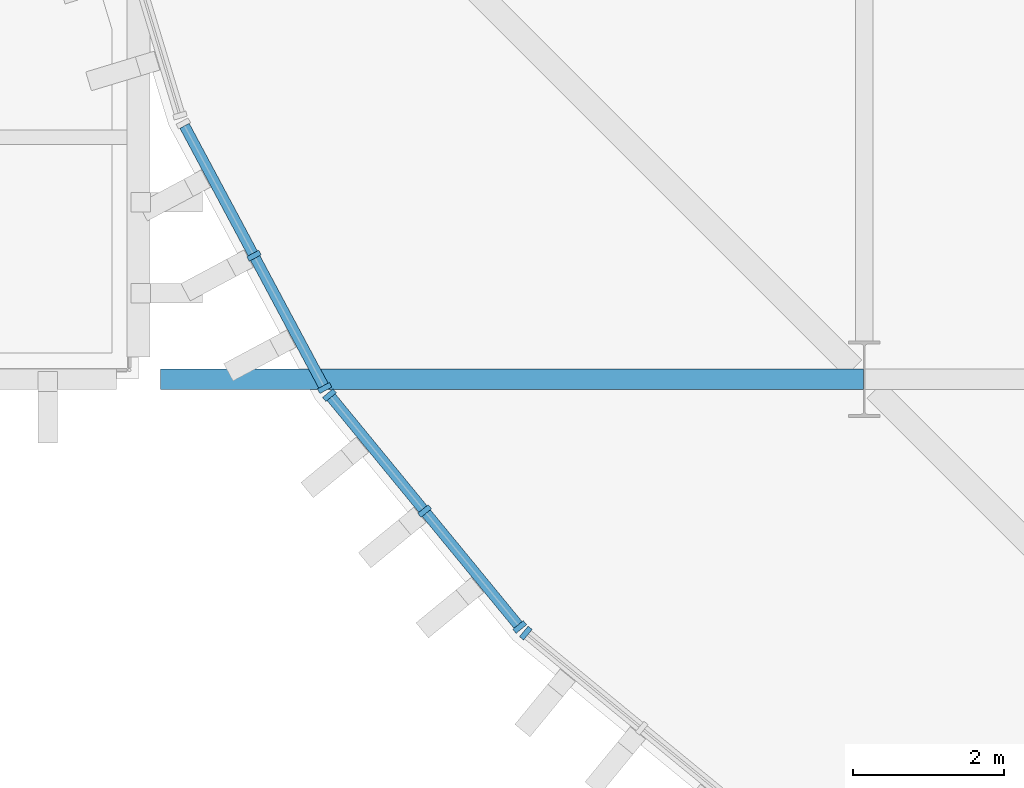
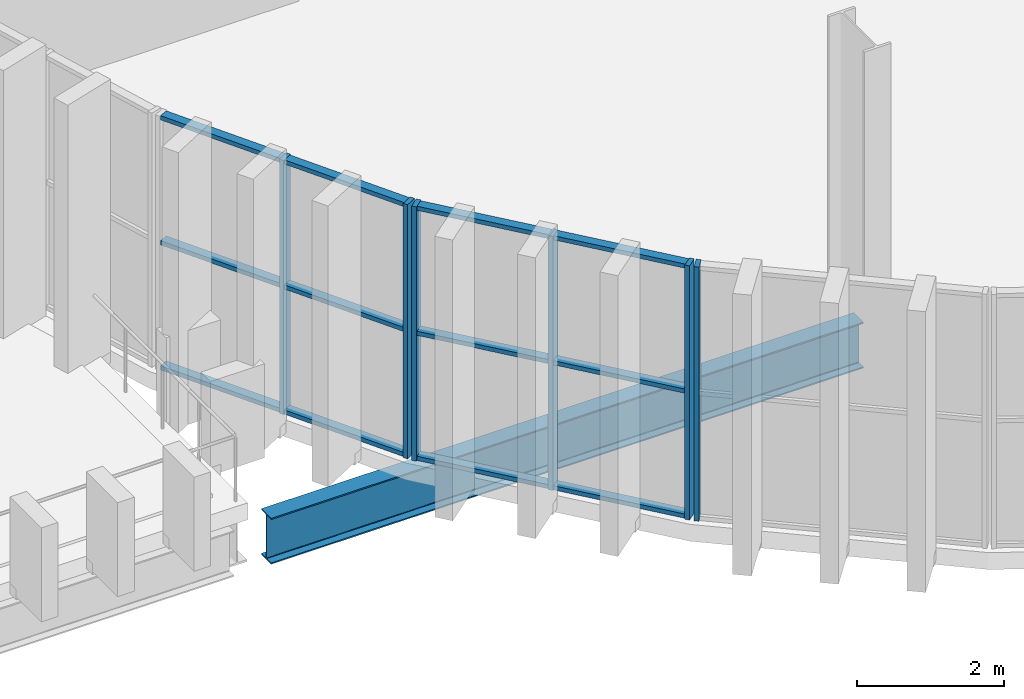
# One storey, part 7 of 92: 18 members, 1 beam, 3 elements without a shape of their own.
"""IFC4 building model written with IfcOpenShell, lengths in metres."""

from ifc_helpers import new_model, si_unit, direction, frame, origin, origin_2d, place, context, subcontext, project, spatial, rectangle, i_section, extrude, material, layer, layer_set, material_profile, profile_set, type_object, element, aggregate, save


model = new_model("IFC4")

# Units and contexts
model_context = context("Model", 3, precision=1e-05, world=origin(), true_north=direction((0.0, 1.0)))
body_context = subcontext(model_context, "Body", "Model", "MODEL_VIEW")
ifc_project = project(units=[si_unit("LENGTHUNIT", "METRE"), si_unit("AREAUNIT", "SQUARE_METRE"), si_unit("VOLUMEUNIT", "CUBIC_METRE"), si_unit("PLANEANGLEUNIT", "RADIAN"), si_unit("MASSUNIT", "GRAM", prefix="KILO")], contexts=[model_context])

# Site, building, storey
site_placement = place(None, origin())
site = spatial("IfcSite", under=ifc_project, at=site_placement, CompositionType="ELEMENT")
building_placement = place(site_placement, origin())
building = spatial("IfcBuilding", under=site, at=building_placement, Name="Caelomonte Colonnade Arena", CompositionType="ELEMENT")
storey_placement = place(building_placement, frame((0.0, 0.0, 9.60009765625)))
storey = spatial("IfcBuildingStorey", under=building, at=storey_placement, Name="L02", CompositionType="ELEMENT", Elevation=9.60009765625)

# Curtain wall, members
ifc_material_1 = material(Name="Bronze anodised aluminium and low-E glazing", Category="aluminium")
ifc_layer = layer(ifc_material_1, 0.179931640625)
ifc_layer_set = layer_set([ifc_layer], Name="Bronze anodised aluminium and low-E glazing")
curtain_wall_type = type_object("IfcCurtainWallType", Name="ENV-CW-CW-L02-44-42", PredefinedType="USERDEFINED", material=ifc_layer_set)
curtain_wall_1_placement = place(storey_placement, origin())
curtain_wall_1 = element("IfcCurtainWall", 1, at=curtain_wall_1_placement, inside=storey, type_object=curtain_wall_type, Name="L02 unitized curtain wall CW-L02-0591-0304", ObjectType="UNITIZED CURTAIN WALL", PredefinedType="USERDEFINED")
ifc_material_2 = material(Name="Bronze anodised aluminium AA6063-T6", Category="aluminium")
ifc_material_profile_1 = material_profile(ifc_material_2, rectangle(XDim=0.070068359375, YDim=0.179931640625, at=origin_2d()), Name="CWM-70X180")
ifc_profile_set_1 = profile_set([ifc_material_profile_1], Name="Bronze anodised aluminium AA6063-T6")
member_type_1 = type_object("IfcMemberType", Name="ENV-CW-MULL1", PredefinedType="MULLION", material=ifc_profile_set_1)
member_1_placement = place(storey_placement, frame((59.12744140625, 30.43310546875, 0.0), z_axis=(0.0, 0.0, 1.0), x_axis=(0.471394212466, -0.881922613642, 0.0)))
member_1 = element("IfcMember", 2, at=member_1_placement, type_object=member_type_1, Name="CW-L02-44-42 mullion 2", PredefinedType="MULLION", context=body_context, shape_type="SweptSolid", body=[
    extrude(rectangle(XDim=0.070068359375, YDim=0.179931640625, at=origin_2d()), origin(), (0.0, 0.0, 1.0), 4.219970703125),
])
member_2_placement = place(storey_placement, frame((60.0625, 28.68408203125, 0.0), z_axis=(0.0, 0.0, 1.0), x_axis=(0.471394212466, -0.881922613642, 0.0)))
member_2 = element("IfcMember", 3, at=member_2_placement, type_object=member_type_1, Name="CW-L02-44-42 mullion 3", PredefinedType="MULLION", context=body_context, shape_type="SweptSolid", body=[
    extrude(rectangle(XDim=0.070068359375, YDim=0.179931640625, at=origin_2d()), origin(), (0.0, 0.0, 1.0), 4.219970703125),
])

curtain_wall_2_placement = place(storey_placement, origin())
curtain_wall_2 = element("IfcCurtainWall", 4, at=curtain_wall_2_placement, inside=storey, type_object=curtain_wall_type, Name="L02 unitized curtain wall CW-L02-0614-0271", ObjectType="UNITIZED CURTAIN WALL", PredefinedType="USERDEFINED")
member_3_placement = place(storey_placement, frame((60.125732421875, 28.58935546875, 0.0), z_axis=(0.0, 0.0, 1.0), x_axis=(0.634416071163, -0.772991751994, 0.0)))
member_3 = element("IfcMember", 5, at=member_3_placement, type_object=member_type_1, Name="CW-L02-44-42 mullion 1", PredefinedType="MULLION", context=body_context, shape_type="SweptSolid", body=[
    extrude(rectangle(XDim=0.070068359375, YDim=0.179931640625, at=origin_2d()), origin(), (0.0, 0.0, 1.0), 4.219970703125),
])
member_4_placement = place(storey_placement, frame((61.384033203125, 27.05615234375, 0.0), z_axis=(0.0, 0.0, 1.0), x_axis=(0.634416071163, -0.772991751994, 0.0)))
member_4 = element("IfcMember", 6, at=member_4_placement, type_object=member_type_1, Name="CW-L02-44-42 mullion 2", PredefinedType="MULLION", context=body_context, shape_type="SweptSolid", body=[
    extrude(rectangle(XDim=0.070068359375, YDim=0.179931640625, at=origin_2d()), origin(), (0.0, 0.0, 1.0), 4.219970703125),
])
member_5_placement = place(storey_placement, frame((62.642333984375, 25.52294921875, 0.0), z_axis=(0.0, 0.0, 1.0), x_axis=(0.634416071163, -0.772991751994, 0.0)))
member_5 = element("IfcMember", 7, at=member_5_placement, type_object=member_type_1, Name="CW-L02-44-42 mullion 3", PredefinedType="MULLION", context=body_context, shape_type="SweptSolid", body=[
    extrude(rectangle(XDim=0.070068359375, YDim=0.179931640625, at=origin_2d()), origin(), (0.0, 0.0, 1.0), 4.219970703125),
])

# Curtain wall, member
curtain_wall_3_placement = place(storey_placement, origin())
curtain_wall_3 = element("IfcCurtainWall", 8, at=curtain_wall_3_placement, inside=storey, type_object=curtain_wall_type, Name="L02 unitized curtain wall CW-L02-0643-0242", ObjectType="UNITIZED CURTAIN WALL", PredefinedType="USERDEFINED")
member_6_placement = place(storey_placement, frame((62.722900390625, 25.4423828125, 0.0), z_axis=(0.0, 0.0, 1.0), x_axis=(0.772991751994, -0.634416071163, 0.0)))
member_6 = element("IfcMember", 9, at=member_6_placement, type_object=member_type_1, Name="CW-L02-44-42 mullion 1", PredefinedType="MULLION", context=body_context, shape_type="SweptSolid", body=[
    extrude(rectangle(XDim=0.070068359375, YDim=0.179931640625, at=origin_2d()), origin(), (0.0, 0.0, 1.0), 4.219970703125),
])
aggregate(curtain_wall_3, [member_6])

# Member
ifc_material_profile_2 = material_profile(ifc_material_2, rectangle(XDim=0.070068359375, YDim=0.139892578125, at=origin_2d()), Name="CWT-70X140")
ifc_profile_set_2 = profile_set([ifc_material_profile_2], Name="Bronze anodised aluminium AA6063-T6")
member_type_2 = type_object("IfcMemberType", Name="ENV-CW-TRAN1", PredefinedType="USERDEFINED", material=ifc_profile_set_2)
member_7_placement = place(storey_placement, frame((58.208984375, 32.1513671875, 0.034912109375), z_axis=(0.47149534087, -0.881868552301, 0.0), x_axis=(0.0, 0.0, 1.0)))
member_7 = element("IfcMember", 10, at=member_7_placement, type_object=member_type_2, Name="CW-L02-44-42 transom 1.1", ObjectType="TRANSOM", PredefinedType="USERDEFINED", context=body_context, shape_type="SweptSolid", body=[
    extrude(rectangle(XDim=0.070068359375, YDim=0.139892578125, at=origin_2d()), origin(), (0.0, 0.0, 1.0), 1.913330078125),
])

member_8_placement = place(storey_placement, frame((58.208984375, 32.1513671875, 2.10986328125), z_axis=(0.47149534087, -0.881868552301, 0.0), x_axis=(0.0, 0.0, 1.0)))
member_8 = element("IfcMember", 11, at=member_8_placement, type_object=member_type_2, Name="CW-L02-44-42 transom 1.2", ObjectType="TRANSOM", PredefinedType="USERDEFINED", context=body_context, shape_type="SweptSolid", body=[
    extrude(rectangle(XDim=0.070068359375, YDim=0.139892578125, at=origin_2d()), origin(), (0.0, 0.0, 1.0), 1.913330078125),
])

member_9_placement = place(storey_placement, frame((58.208984375, 32.1513671875, 4.184814453125), z_axis=(0.47149534087, -0.881868552301, 0.0), x_axis=(0.0, 0.0, 1.0)))
member_9 = element("IfcMember", 12, at=member_9_placement, type_object=member_type_2, Name="CW-L02-44-42 transom 1.3", ObjectType="TRANSOM", PredefinedType="USERDEFINED", context=body_context, shape_type="SweptSolid", body=[
    extrude(rectangle(XDim=0.070068359375, YDim=0.139892578125, at=origin_2d()), origin(), (0.0, 0.0, 1.0), 1.913330078125),
])

member_10_placement = place(storey_placement, frame((59.14404296875, 30.40234375, 0.034912109375), z_axis=(0.471343048304, -0.88194995936, 0.0), x_axis=(0.0, 0.0, 1.0)))
member_10 = element("IfcMember", 13, at=member_10_placement, type_object=member_type_2, Name="CW-L02-44-42 transom 2.1", ObjectType="TRANSOM", PredefinedType="USERDEFINED", context=body_context, shape_type="SweptSolid", body=[
    extrude(rectangle(XDim=0.070068359375, YDim=0.139892578125, at=origin_2d()), origin(), (0.0, 0.0, 1.0), 1.913330078125),
])

member_11_placement = place(storey_placement, frame((59.14404296875, 30.40234375, 2.10986328125), z_axis=(0.471343048304, -0.88194995936, 0.0), x_axis=(0.0, 0.0, 1.0)))
member_11 = element("IfcMember", 14, at=member_11_placement, type_object=member_type_2, Name="CW-L02-44-42 transom 2.2", ObjectType="TRANSOM", PredefinedType="USERDEFINED", context=body_context, shape_type="SweptSolid", body=[
    extrude(rectangle(XDim=0.070068359375, YDim=0.139892578125, at=origin_2d()), origin(), (0.0, 0.0, 1.0), 1.913330078125),
])

member_12_placement = place(storey_placement, frame((59.14404296875, 30.40234375, 4.184814453125), z_axis=(0.471343048304, -0.88194995936, 0.0), x_axis=(0.0, 0.0, 1.0)))
member_12 = element("IfcMember", 15, at=member_12_placement, type_object=member_type_2, Name="CW-L02-44-42 transom 2.3", ObjectType="TRANSOM", PredefinedType="USERDEFINED", context=body_context, shape_type="SweptSolid", body=[
    extrude(rectangle(XDim=0.070068359375, YDim=0.139892578125, at=origin_2d()), origin(), (0.0, 0.0, 1.0), 1.913330078125),
])

aggregate(curtain_wall_1, [member_1, member_2, member_7, member_8, member_9, member_10, member_11, member_12])

member_13_placement = place(storey_placement, frame((60.14794921875, 28.562255859375, 0.034912109375), z_axis=(0.634418283662, -0.772989936128, 0.0), x_axis=(0.0, 0.0, 1.0)))
member_13 = element("IfcMember", 16, at=member_13_placement, type_object=member_type_2, Name="CW-L02-44-42 transom 1.1", ObjectType="TRANSOM", PredefinedType="USERDEFINED", context=body_context, shape_type="SweptSolid", body=[
    extrude(rectangle(XDim=0.070068359375, YDim=0.139892578125, at=origin_2d()), origin(), (0.0, 0.0, 1.0), 1.913330078125),
])

member_14_placement = place(storey_placement, frame((60.14794921875, 28.562255859375, 2.10986328125), z_axis=(0.634418283662, -0.772989936128, 0.0), x_axis=(0.0, 0.0, 1.0)))
member_14 = element("IfcMember", 17, at=member_14_placement, type_object=member_type_2, Name="CW-L02-44-42 transom 1.2", ObjectType="TRANSOM", PredefinedType="USERDEFINED", context=body_context, shape_type="SweptSolid", body=[
    extrude(rectangle(XDim=0.070068359375, YDim=0.139892578125, at=origin_2d()), origin(), (0.0, 0.0, 1.0), 1.913330078125),
])

member_15_placement = place(storey_placement, frame((60.14794921875, 28.562255859375, 4.184814453125), z_axis=(0.634418283662, -0.772989936128, 0.0), x_axis=(0.0, 0.0, 1.0)))
member_15 = element("IfcMember", 18, at=member_15_placement, type_object=member_type_2, Name="CW-L02-44-42 transom 1.3", ObjectType="TRANSOM", PredefinedType="USERDEFINED", context=body_context, shape_type="SweptSolid", body=[
    extrude(rectangle(XDim=0.070068359375, YDim=0.139892578125, at=origin_2d()), origin(), (0.0, 0.0, 1.0), 1.913330078125),
])

member_16_placement = place(storey_placement, frame((61.40625, 27.029052734375, 0.034912109375), z_axis=(0.634418283662, -0.772989936128, 0.0), x_axis=(0.0, 0.0, 1.0)))
member_16 = element("IfcMember", 19, at=member_16_placement, type_object=member_type_2, Name="CW-L02-44-42 transom 2.1", ObjectType="TRANSOM", PredefinedType="USERDEFINED", context=body_context, shape_type="SweptSolid", body=[
    extrude(rectangle(XDim=0.070068359375, YDim=0.139892578125, at=origin_2d()), origin(), (0.0, 0.0, 1.0), 1.913330078125),
])

member_17_placement = place(storey_placement, frame((61.40625, 27.029052734375, 2.10986328125), z_axis=(0.634418283662, -0.772989936128, 0.0), x_axis=(0.0, 0.0, 1.0)))
member_17 = element("IfcMember", 20, at=member_17_placement, type_object=member_type_2, Name="CW-L02-44-42 transom 2.2", ObjectType="TRANSOM", PredefinedType="USERDEFINED", context=body_context, shape_type="SweptSolid", body=[
    extrude(rectangle(XDim=0.070068359375, YDim=0.139892578125, at=origin_2d()), origin(), (0.0, 0.0, 1.0), 1.913330078125),
])

member_18_placement = place(storey_placement, frame((61.40625, 27.029052734375, 4.184814453125), z_axis=(0.634418283662, -0.772989936128, 0.0), x_axis=(0.0, 0.0, 1.0)))
member_18 = element("IfcMember", 21, at=member_18_placement, type_object=member_type_2, Name="CW-L02-44-42 transom 2.3", ObjectType="TRANSOM", PredefinedType="USERDEFINED", context=body_context, shape_type="SweptSolid", body=[
    extrude(rectangle(XDim=0.070068359375, YDim=0.139892578125, at=origin_2d()), origin(), (0.0, 0.0, 1.0), 1.913330078125),
])

aggregate(curtain_wall_2, [member_3, member_4, member_5, member_13, member_14, member_15, member_16, member_17, member_18])

# Beam
ifc_material_3 = material(Name="Wide-flange steel ASTM A992 Grade 50", Category="steel")
ifc_material_profile_3 = material_profile(ifc_material_3, i_section(OverallWidth=0.2666015625, OverallDepth=0.761962890625, WebThickness=0.014404296875, FlangeThickness=0.021484375, FilletRadius=0.0166015625, at=origin_2d()), Name="W30X116")
ifc_profile_set_3 = profile_set([ifc_material_profile_3], Name="Wide-flange steel ASTM A992 Grade 50")
beam_type = type_object("IfcBeamType", Name="STR-BM-GIRD30", PredefinedType="BEAM", material=ifc_profile_set_3)
beam_placement = place(storey_placement, frame((57.89208984375, 28.800048828125, -0.6611328125), z_axis=(1.0, 0.0, 0.0), x_axis=(0.0, 1.0, 0.0)))
element("IfcBeam", 22, at=beam_placement, inside=storey, type_object=beam_type, Name="L02 girder BMX-L02-0576-0288", PredefinedType="BEAM", context=body_context, shape_type="SweptSolid", body=[
    extrude(i_section(OverallWidth=0.2666015625, OverallDepth=0.761962890625, WebThickness=0.014404296875, FlangeThickness=0.021484375, FilletRadius=0.0166015625, at=origin_2d()), origin(), (0.0, 0.0, 1.0), 9.296142578125),
])

save(model, "model.ifc")
